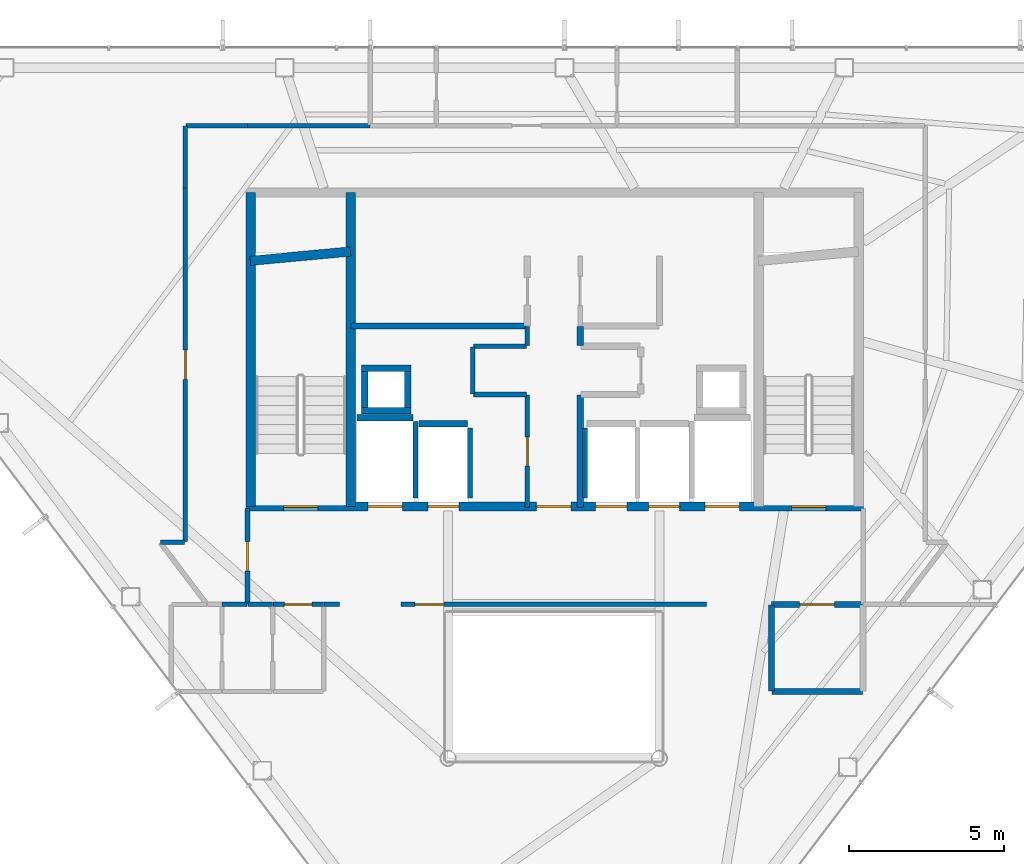
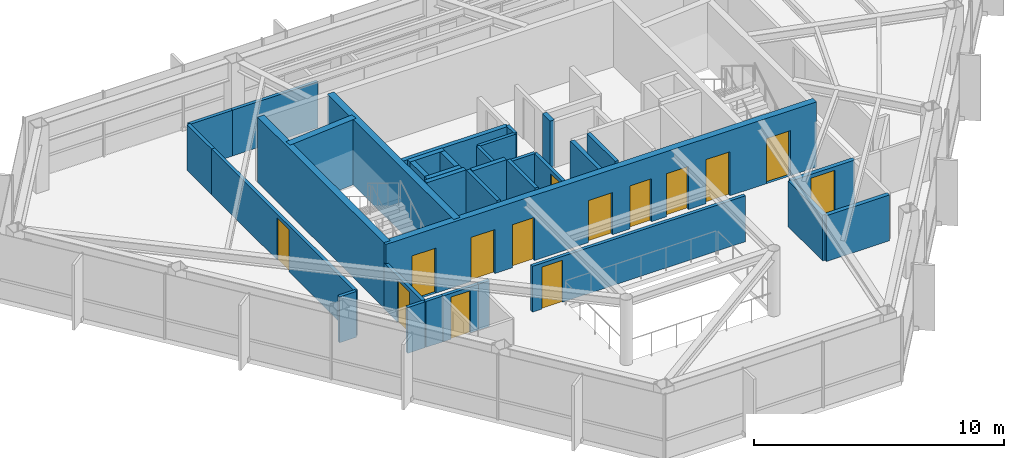
# One storey, part 22 of 25: 35 walls, 14 doors, 14 openings.
"""IFC4 building model written with IfcOpenShell, lengths in metres."""

from ifc_helpers import new_model, si_unit, direction, frame, frame_2d, origin, place, context, subcontext, project, spatial, rectangle, extrude, material, layer, layer_set, type_object, element, fill, save


model = new_model("IFC4")

# Units and contexts
model_context = context("Model", 3, precision=1e-05, world=origin(), true_north=direction((0.0, 1.0)))
body_context = subcontext(model_context, "Body", "Model", "MODEL_VIEW")
ifc_project = project(units=[si_unit("LENGTHUNIT", "METRE"), si_unit("AREAUNIT", "SQUARE_METRE"), si_unit("VOLUMEUNIT", "CUBIC_METRE"), si_unit("PLANEANGLEUNIT", "RADIAN"), si_unit("MASSUNIT", "GRAM", prefix="KILO")], contexts=[model_context])

# Site, building, storey
site_placement = place(None, origin())
site = spatial("IfcSite", under=ifc_project, at=site_placement, CompositionType="ELEMENT")
building_placement = place(site_placement, origin())
building = spatial("IfcBuilding", under=site, at=building_placement, Name="Zarrinselat Tower", CompositionType="ELEMENT")
storey_placement = place(building_placement, frame((0.0, 0.0, 242.760009765625)))
storey = spatial("IfcBuildingStorey", under=building, at=storey_placement, Name="L61", CompositionType="ELEMENT", Elevation=242.760009765625)

# Wall, opening, door
ifc_material_1 = material(Name="Concrete C40/50", Category="concrete")
ifc_layer_1 = layer(ifc_material_1, 0.18994140625)
ifc_layer_set_1 = layer_set([ifc_layer_1], Name="Concrete C40/50")
wall_type_1 = type_object("IfcWallType", Name="WAL-PART-EI120", PredefinedType="PARTITIONING", material=ifc_layer_set_1)
wall_1_placement = place(storey_placement, frame((45.405029296875, 30.14990234375, 0.0), z_axis=(0.0, 0.0, 1.0), x_axis=(1.0, 0.0, 0.0)))
wall_1 = element("IfcWall", 1, at=wall_1_placement, inside=storey, type_object=wall_type_1, Name="L61 Partition Wall 16", PredefinedType="PARTITIONING", context=body_context, shape_type="SweptSolid", body=[
    extrude(rectangle(XDim=2.925048828125, YDim=0.18994140625, at=frame_2d((1.46240234375, 0.0))), origin(), (0.0, 0.0, 1.0), 2.235107421875),
])
opening_1_placement = place(wall_1_placement, frame((0.902587890625, 0.0, 0.0)))
opening_1 = element("IfcOpeningElement", 2, at=opening_1_placement, cuts=wall_1, Name="Opening ID-02", PredefinedType="OPENING", context=body_context, shape_type="SweptSolid", body=[
    extrude(rectangle(XDim=1.1201171875, YDim=2.050048828125, at=frame_2d((0.56005859375, 1.02490234375))), frame((0.0, 0.10498046875, 0.0), z_axis=(0.0, -1.0, 0.0), x_axis=(1.0, 0.0, 0.0)), (0.0, 0.0, 1.0), 0.2099609375),
])
ifc_material_2 = material(Name="Steel S355J2", Category="steel")
door_type_1 = type_object("IfcDoorType", Name="DR-INT-FD60-W", OperationType="NOTDEFINED", PredefinedType="DOOR", material=ifc_material_2)
door_1_placement = place(opening_1_placement, origin())
door_1 = element("IfcDoor", 3, at=door_1_placement, inside=storey, type_object=door_type_1, Name="L61 Interior Door P16", OperationType="SINGLE_SWING_LEFT", OverallHeight=2.050048828125, OverallWidth=1.1201171875, PredefinedType="DOOR", context=body_context, shape_type="SweptSolid", body=[
    extrude(rectangle(XDim=1.1201171875, YDim=2.050048828125, at=frame_2d((0.56005859375, 1.02490234375))), frame((0.0, 0.02490234375, 0.0), z_axis=(0.0, -1.0, 0.0), x_axis=(1.0, 0.0, 0.0)), (0.0, 0.0, 1.0), 0.050048828125),
])
fill(opening_1, door_1)

# Walls
wall_2_placement = place(storey_placement, frame((45.419921875, 27.35009765625, 0.0), z_axis=(0.0, 0.0, 1.0), x_axis=(1.0, 0.0, 0.0)))
element("IfcWall", 4, at=wall_2_placement, inside=storey, type_object=wall_type_1, Name="L61 Partition Wall 23", PredefinedType="PARTITIONING", context=body_context, shape_type="SweptSolid", body=[
    extrude(rectangle(XDim=2.91015625, YDim=0.18994140625, at=frame_2d((1.455078125, 0.0))), origin(), (0.0, 0.0, 1.0), 2.235107421875),
])
wall_3_placement = place(storey_placement, frame((45.39990234375, 27.3701171875, 0.0), z_axis=(0.0, 0.0, 1.0), x_axis=(0.0, 1.0, 0.0)))
element("IfcWall", 5, at=wall_3_placement, inside=storey, type_object=wall_type_1, Name="L61 Partition Wall 24", PredefinedType="PARTITIONING", context=body_context, shape_type="SweptSolid", body=[
    extrude(rectangle(XDim=2.759765625, YDim=0.18994140625, at=frame_2d((1.3798828125, 0.0))), origin(), (0.0, 0.0, 1.0), 2.235107421875),
])

# Wall, opening, door
ifc_material_3 = material(Name="Fire-Rated Gypsum Board Partition", Category="gypsum")
ifc_layer_2 = layer(ifc_material_3, 0.14990234375)
ifc_layer_set_2 = layer_set([ifc_layer_2], Name="Fire-Rated Gypsum Board Partition")
wall_type_2 = type_object("IfcWallType", Name="WAL-PART-EI60", PredefinedType="PARTITIONING", material=ifc_layer_set_2)
wall_4_placement = place(storey_placement, frame((37.550048828125, 33.264892578125, 0.0), z_axis=(0.0, 0.0, 1.0), x_axis=(0.0, 1.0, 0.0)))
wall_4 = element("IfcWall", 6, at=wall_4_placement, inside=storey, type_object=wall_type_2, Name="L61 Partition Wall 1", PredefinedType="PARTITIONING", context=body_context, shape_type="SweptSolid", body=[
    extrude(rectangle(XDim=3.614990234375, YDim=0.14990234375, at=frame_2d((1.8076171875, 0.0))), origin(), (0.0, 0.0, 1.0), 2.235107421875),
])
opening_2_placement = place(wall_4_placement, frame((1.33740234375, 0.0, 0.0)))
opening_2 = element("IfcOpeningElement", 7, at=opening_2_placement, cuts=wall_4, Name="Opening ID-04", PredefinedType="OPENING", context=body_context, shape_type="SweptSolid", body=[
    extrude(rectangle(XDim=0.93994140625, YDim=2.050048828125, at=frame_2d((0.469970703125, 1.02490234375))), frame((0.0, 0.0849609375, 0.0), z_axis=(0.0, -1.0, 0.0), x_axis=(1.0, 0.0, 0.0)), (0.0, 0.0, 1.0), 0.169921875),
])
ifc_material_4 = material(Name="Fire-Rated Gypsum Board Partition")
door_type_2 = type_object("IfcDoorType", Name="DR-INT-FD30-ENT", OperationType="NOTDEFINED", PredefinedType="DOOR", material=ifc_material_4)
door_2_placement = place(opening_2_placement, origin())
door_2 = element("IfcDoor", 8, at=door_2_placement, inside=storey, type_object=door_type_2, Name="L61 Interior Door P1", OperationType="SINGLE_SWING_LEFT", OverallHeight=2.050048828125, OverallWidth=0.93994140625, PredefinedType="DOOR", context=body_context, shape_type="SweptSolid", body=[
    extrude(rectangle(XDim=0.93994140625, YDim=2.050048828125, at=frame_2d((0.469970703125, 1.02490234375))), frame((0.0, 0.02490234375, 0.0), z_axis=(0.0, -1.0, 0.0), x_axis=(1.0, 0.0, 0.0)), (0.0, 0.0, 1.0), 0.050048828125),
])
fill(opening_2, door_2)

# Walls
wall_5_placement = place(storey_placement, frame((35.820068359375, 36.89990234375, 0.0), z_axis=(0.0, 0.0, 1.0), x_axis=(1.0, 0.0, 0.0)))
element("IfcWall", 9, at=wall_5_placement, inside=storey, type_object=wall_type_2, Name="L61 Partition Wall 2", PredefinedType="PARTITIONING", context=body_context, shape_type="SweptSolid", body=[
    extrude(rectangle(XDim=1.7099609375, YDim=0.14990234375, at=frame_2d((0.85498046875, 0.0))), origin(), (0.0, 0.0, 1.0), 2.235107421875),
])
wall_6_placement = place(storey_placement, frame((35.800048828125, 36.919921875, 0.0), z_axis=(0.0, 0.0, 1.0), x_axis=(0.0, 1.0, 0.0)))
element("IfcWall", 10, at=wall_6_placement, inside=storey, type_object=wall_type_2, Name="L61 Partition Wall 3", PredefinedType="PARTITIONING", context=body_context, shape_type="SweptSolid", body=[
    extrude(rectangle(XDim=1.510009765625, YDim=0.14990234375, at=frame_2d((0.7548828125, 0.0))), origin(), (0.0, 0.0, 1.0), 2.235107421875),
])
wall_7_placement = place(storey_placement, frame((35.820068359375, 38.449951171875, 0.0), z_axis=(0.0, 0.0, 1.0), x_axis=(1.0, 0.0, 0.0)))
element("IfcWall", 11, at=wall_7_placement, inside=storey, type_object=wall_type_2, Name="L61 Partition Wall 4", PredefinedType="PARTITIONING", context=body_context, shape_type="SweptSolid", body=[
    extrude(rectangle(XDim=1.7099609375, YDim=0.14990234375, at=frame_2d((0.85498046875, 0.0))), origin(), (0.0, 0.0, 1.0), 2.235107421875),
])
wall_8_placement = place(storey_placement, frame((37.550048828125, 38.469970703125, 0.0), z_axis=(0.0, 0.0, 1.0), x_axis=(0.0, 1.0, 0.0)))
element("IfcWall", 12, at=wall_8_placement, inside=storey, type_object=wall_type_2, Name="L61 Partition Wall 5", PredefinedType="PARTITIONING", context=body_context, shape_type="SweptSolid", body=[
    extrude(rectangle(XDim=0.625, YDim=0.14990234375, at=frame_2d((0.3125, 0.0))), origin(), (0.0, 0.0, 1.0), 2.235107421875),
])

# Wall, opening, door
wall_9_placement = place(storey_placement, frame((28.550048828125, 30.169921875, 0.0), z_axis=(0.0, 0.0, 1.0), x_axis=(0.0, 1.0, 0.0)))
wall_9 = element("IfcWall", 13, at=wall_9_placement, inside=storey, type_object=wall_type_2, Name="L61 Partition Wall 17", PredefinedType="PARTITIONING", context=body_context, shape_type="SweptSolid", body=[
    extrude(rectangle(XDim=3.06005859375, YDim=0.14990234375, at=frame_2d((1.530029296875, 0.0))), origin(), (0.0, 0.0, 1.0), 2.235107421875),
])
opening_3_placement = place(wall_9_placement, frame((1.06005859375, 0.0, 0.0)))
opening_3 = element("IfcOpeningElement", 14, at=opening_3_placement, cuts=wall_9, Name="Opening ID-04", PredefinedType="OPENING", context=body_context, shape_type="SweptSolid", body=[
    extrude(rectangle(XDim=0.93994140625, YDim=2.050048828125, at=frame_2d((0.469970703125, 1.02490234375))), frame((0.0, 0.0849609375, 0.0), z_axis=(0.0, -1.0, 0.0), x_axis=(1.0, 0.0, 0.0)), (0.0, 0.0, 1.0), 0.169921875),
])
door_3_placement = place(opening_3_placement, origin())
door_3 = element("IfcDoor", 15, at=door_3_placement, inside=storey, type_object=door_type_2, Name="L61 Interior Door P17", OperationType="SINGLE_SWING_RIGHT", OverallHeight=2.050048828125, OverallWidth=0.93994140625, PredefinedType="DOOR", context=body_context, shape_type="SweptSolid", body=[
    extrude(rectangle(XDim=0.93994140625, YDim=2.050048828125, at=frame_2d((0.469970703125, 1.02490234375))), frame((0.0, 0.02490234375, 0.0), z_axis=(0.0, -1.0, 0.0), x_axis=(1.0, 0.0, 0.0)), (0.0, 0.0, 1.0), 0.050048828125),
])
fill(opening_3, door_3)

wall_10_placement = place(storey_placement, frame((29.364990234375, 30.14990234375, 0.0), z_axis=(0.0, 0.0, 1.0), x_axis=(1.0, 0.0, 0.0)))
wall_10 = element("IfcWall", 16, at=wall_10_placement, inside=storey, type_object=wall_type_2, Name="L61 Partition Wall 19", PredefinedType="PARTITIONING", context=body_context, shape_type="SweptSolid", body=[
    extrude(rectangle(XDim=1.630126953125, YDim=0.14990234375, at=frame_2d((0.81494140625, 0.0))), origin(), (0.0, 0.0, 1.0), 2.235107421875),
])
opening_4_placement = place(wall_10_placement, frame((0.375, 0.0, 0.0)))
opening_4 = element("IfcOpeningElement", 17, at=opening_4_placement, cuts=wall_10, Name="Opening ID-03", PredefinedType="OPENING", context=body_context, shape_type="SweptSolid", body=[
    extrude(rectangle(XDim=0.8798828125, YDim=2.050048828125, at=frame_2d((0.43994140625, 1.02490234375))), frame((0.0, 0.0849609375, 0.0), z_axis=(0.0, -1.0, 0.0), x_axis=(1.0, 0.0, 0.0)), (0.0, 0.0, 1.0), 0.169921875),
])
ifc_material_5 = material(Name="Steel S355J2", Category="steel")
door_type_3 = type_object("IfcDoorType", Name="DR-INT-FD60-S", OperationType="NOTDEFINED", PredefinedType="DOOR", material=ifc_material_5)
door_4_placement = place(opening_4_placement, origin())
door_4 = element("IfcDoor", 18, at=door_4_placement, inside=storey, type_object=door_type_3, Name="L61 Interior Door P19", OperationType="SINGLE_SWING_LEFT", OverallHeight=2.050048828125, OverallWidth=0.8798828125, PredefinedType="DOOR", context=body_context, shape_type="SweptSolid", body=[
    extrude(rectangle(XDim=0.8798828125, YDim=2.050048828125, at=frame_2d((0.43994140625, 1.02490234375))), frame((0.0, 0.02490234375, 0.0), z_axis=(0.0, -1.0, 0.0), x_axis=(1.0, 0.0, 0.0)), (0.0, 0.0, 1.0), 0.050048828125),
])
fill(opening_4, door_4)

# Wall
wall_11_placement = place(storey_placement, frame((28.570068359375, 30.14990234375, 0.0), z_axis=(0.0, 0.0, 1.0), x_axis=(1.0, 0.0, 0.0)))
element("IfcWall", 19, at=wall_11_placement, inside=storey, type_object=wall_type_2, Name="L61 Partition Wall 20", PredefinedType="PARTITIONING", context=body_context, shape_type="SweptSolid", body=[
    extrude(rectangle(XDim=0.784912109375, YDim=0.14990234375, at=frame_2d((0.392578125, 0.0))), origin(), (0.0, 0.0, 1.0), 2.235107421875),
])

# Wall, opening, door
wall_12_placement = place(storey_placement, frame((33.485107421875, 30.14990234375, 0.0), z_axis=(0.0, 0.0, 1.0), x_axis=(1.0, 0.0, 0.0)))
wall_12 = element("IfcWall", 20, at=wall_12_placement, inside=storey, type_object=wall_type_2, Name="L61 Partition Wall 21", PredefinedType="PARTITIONING", context=body_context, shape_type="SweptSolid", body=[
    extrude(rectangle(XDim=9.829833984375, YDim=0.14990234375, at=frame_2d((4.9150390625, 0.0))), origin(), (0.0, 0.0, 1.0), 2.235107421875),
])
opening_5_placement = place(wall_12_placement, frame((0.445068359375, 0.0, 0.0)))
opening_5 = element("IfcOpeningElement", 21, at=opening_5_placement, cuts=wall_12, Name="Opening ID-04", PredefinedType="OPENING", context=body_context, shape_type="SweptSolid", body=[
    extrude(rectangle(XDim=0.93994140625, YDim=2.050048828125, at=frame_2d((0.469970703125, 1.02490234375))), frame((0.0, 0.0849609375, 0.0), z_axis=(0.0, -1.0, 0.0), x_axis=(1.0, 0.0, 0.0)), (0.0, 0.0, 1.0), 0.169921875),
])
door_5_placement = place(opening_5_placement, origin())
door_5 = element("IfcDoor", 22, at=door_5_placement, inside=storey, type_object=door_type_2, Name="L61 Interior Door P21", OperationType="SINGLE_SWING_RIGHT", OverallHeight=2.050048828125, OverallWidth=0.93994140625, PredefinedType="DOOR", context=body_context, shape_type="SweptSolid", body=[
    extrude(rectangle(XDim=0.93994140625, YDim=2.050048828125, at=frame_2d((0.469970703125, 1.02490234375))), frame((0.0, 0.02490234375, 0.0), z_axis=(0.0, -1.0, 0.0), x_axis=(1.0, 0.0, 0.0)), (0.0, 0.0, 1.0), 0.050048828125),
])
fill(opening_5, door_5)

# Walls
wall_13_placement = place(storey_placement, frame((31.0048828125, 30.14990234375, 0.0), z_axis=(0.0, 0.0, 1.0), x_axis=(1.0, 0.0, 0.0)))
element("IfcWall", 23, at=wall_13_placement, inside=storey, type_object=wall_type_2, Name="L61 Partition Wall 22", PredefinedType="PARTITIONING", context=body_context, shape_type="SweptSolid", body=[
    extrude(rectangle(XDim=0.510009765625, YDim=0.14990234375, at=frame_2d((0.2548828125, 0.0))), origin(), (0.0, 0.0, 1.0), 2.235107421875),
])
wall_14_placement = place(storey_placement, frame((27.735107421875, 30.14990234375, 0.0), z_axis=(0.0, 0.0, 1.0), x_axis=(1.0, 0.0, 0.0)))
element("IfcWall", 24, at=wall_14_placement, inside=storey, type_object=wall_type_2, Name="L61 Partition Wall 27", PredefinedType="PARTITIONING", context=body_context, shape_type="SweptSolid", body=[
    extrude(rectangle(XDim=0.794921875, YDim=0.14990234375, at=frame_2d((0.3974609375, 0.0))), origin(), (0.0, 0.0, 1.0), 2.235107421875),
])
wall_15_placement = place(storey_placement, frame((25.754638671875, 32.14990234375, 0.0), z_axis=(0.0, 0.0, 1.0), x_axis=(1.0, 0.0, 0.0)))
element("IfcWall", 25, at=wall_15_placement, inside=storey, type_object=wall_type_2, Name="L61 Partition Wall 30", PredefinedType="PARTITIONING", context=body_context, shape_type="SweptSolid", body=[
    extrude(rectangle(XDim=0.775390625, YDim=0.14990234375, at=frame_2d((0.3876953125, 0.0))), origin(), (0.0, 0.0, 1.0), 2.235107421875),
])

# Wall, opening, door
wall_16_placement = place(storey_placement, frame((26.550048828125, 32.169921875, 0.0), z_axis=(0.0, 0.0, 1.0), x_axis=(0.0, 1.0, 0.0)))
wall_16 = element("IfcWall", 26, at=wall_16_placement, inside=storey, type_object=wall_type_2, Name="L61 Partition Wall 31", PredefinedType="PARTITIONING", context=body_context, shape_type="SweptSolid", body=[
    extrude(rectangle(XDim=11.380126953125, YDim=0.14990234375, at=frame_2d((5.68994140625, 0.0))), origin(), (0.0, 0.0, 1.0), 2.235107421875),
])
opening_6_placement = place(wall_16_placement, frame((5.219970703125, 0.0, 0.0)))
opening_6 = element("IfcOpeningElement", 27, at=opening_6_placement, cuts=wall_16, Name="Opening ID-04", PredefinedType="OPENING", context=body_context, shape_type="SweptSolid", body=[
    extrude(rectangle(XDim=0.93994140625, YDim=2.050048828125, at=frame_2d((0.469970703125, 1.02490234375))), frame((0.0, 0.0849609375, 0.0), z_axis=(0.0, -1.0, 0.0), x_axis=(1.0, 0.0, 0.0)), (0.0, 0.0, 1.0), 0.169921875),
])
door_6_placement = place(opening_6_placement, origin())
door_6 = element("IfcDoor", 28, at=door_6_placement, inside=storey, type_object=door_type_2, Name="L61 Interior Door P31", OperationType="SINGLE_SWING_LEFT", OverallHeight=2.050048828125, OverallWidth=0.93994140625, PredefinedType="DOOR", context=body_context, shape_type="SweptSolid", body=[
    extrude(rectangle(XDim=0.93994140625, YDim=2.050048828125, at=frame_2d((0.469970703125, 1.02490234375))), frame((0.0, 0.02490234375, 0.0), z_axis=(0.0, -1.0, 0.0), x_axis=(1.0, 0.0, 0.0)), (0.0, 0.0, 1.0), 0.050048828125),
])
fill(opening_6, door_6)

# Walls
for number, where, z_axis, x_axis, name in (
    (29, (26.550048828125, 43.550048828125, 0.0), (0.0, 0.0, 1.0), (0.0, 1.0, 0.0), "L61 Partition Wall 32"),
    (30, (26.570068359375, 45.550048828125, 0.0), (0.0, 0.0, 1.0), (1.0, 0.0, 0.0), "L61 Partition Wall 33"),
):
    element("IfcWall", number, at=place(storey_placement, frame(where, z_axis=z_axis, x_axis=x_axis)), inside=storey, type_object=wall_type_2, Name=name, PredefinedType="PARTITIONING", context=body_context, shape_type="SweptSolid", body=[
        extrude(rectangle(XDim=1.97998046875, YDim=0.14990234375, at=frame_2d((0.989990234375, 0.0))), origin(), (0.0, 0.0, 1.0), 2.235107421875),
    ])
wall_17_placement = place(storey_placement, frame((28.550048828125, 45.550048828125, 0.0), z_axis=(0.0, 0.0, 1.0), x_axis=(1.0, 0.0, 0.0)))
element("IfcWall", 31, at=wall_17_placement, inside=storey, type_object=wall_type_2, Name="L61 Partition Wall 34", PredefinedType="PARTITIONING", context=body_context, shape_type="SweptSolid", body=[
    extrude(rectangle(XDim=3.945068359375, YDim=0.14990234375, at=frame_2d((1.97265625, 0.0))), origin(), (0.0, 0.0, 1.0), 2.235107421875),
])
ifc_material_6 = material(Name="Concrete C40/50", Category="concrete")
ifc_layer_3 = layer(ifc_material_6, 0.199951171875)
ifc_layer_set_3 = layer_set([ifc_layer_3], Name="Concrete C40/50")
wall_type_3 = type_object("IfcWallType", Name="WAL-PART-PLANT", PredefinedType="PARTITIONING", material=ifc_layer_set_3)
wall_18_placement = place(storey_placement, frame((39.25, 38.469970703125, 0.0), z_axis=(0.0, 0.0, 1.0), x_axis=(0.0, 1.0, 0.0)))
element("IfcWall", 32, at=wall_18_placement, inside=storey, type_object=wall_type_3, Name="L61 Partition Wall 7", PredefinedType="PARTITIONING", context=body_context, shape_type="SweptSolid", body=[
    extrude(rectangle(XDim=0.625, YDim=0.199951171875, at=frame_2d((0.3125, 0.0))), origin(), (0.0, 0.0, 1.0), 2.235107421875),
])
wall_19_placement = place(storey_placement, frame((39.25, 33.264892578125, 0.0), z_axis=(0.0, 0.0, 1.0), x_axis=(0.0, 1.0, 0.0)))
element("IfcWall", 33, at=wall_19_placement, inside=storey, type_object=wall_type_3, Name="L61 Partition Wall 11", PredefinedType="PARTITIONING", context=body_context, shape_type="SweptSolid", body=[
    extrude(rectangle(XDim=3.614990234375, YDim=0.199951171875, at=frame_2d((1.8076171875, 0.0))), origin(), (0.0, 0.0, 1.0), 2.235107421875),
])
wall_20_placement = place(storey_placement, frame((31.885009765625, 39.10009765625, 0.0), z_axis=(0.0, 0.0, 1.0), x_axis=(1.0, 0.0, 0.0)))
element("IfcWall", 34, at=wall_20_placement, inside=storey, type_object=wall_type_3, Name="L61 Partition Wall 13", PredefinedType="PARTITIONING", context=body_context, shape_type="SweptSolid", body=[
    extrude(rectangle(XDim=5.64501953125, YDim=0.199951171875, at=frame_2d((2.822509765625, 0.0))), origin(), (0.0, 0.0, 1.0), 2.235107421875),
])
ifc_material_7 = material(Name="Concrete C40/50", Category="concrete")
ifc_layer_4 = layer(ifc_material_7, 0.2099609375)
ifc_layer_set_4 = layer_set([ifc_layer_4], Name="Concrete C40/50")
wall_type_4 = type_object("IfcWallType", Name="WAL-SHAFT-210", PredefinedType="SOLIDWALL", material=ifc_layer_set_4)
wall_21_placement = place(storey_placement, frame((32.080078125, 36.155029296875, 0.0), z_axis=(0.0, 0.0, 1.0), x_axis=(1.0, 0.0, 0.0)))
element("IfcWall", 35, at=wall_21_placement, inside=storey, type_object=wall_type_4, Name="L61 Lift FFL1 North Shaft Wall", PredefinedType="SOLIDWALL", context=body_context, shape_type="SweptSolid", body=[
    extrude(rectangle(XDim=1.7998046875, YDim=0.2099609375, at=frame_2d((0.89990234375, 0.0))), origin(), (0.0, 0.0, 1.0), 3.179931640625),
])
wall_22_placement = place(storey_placement, frame((33.949951171875, 33.580078125, 0.0), z_axis=(0.0, 0.0, 1.0), x_axis=(0.0, 1.0, 0.0)))
element("IfcWall", 36, at=wall_22_placement, inside=storey, type_object=wall_type_4, Name="L61 Lift FFL1 E Shaft Wall", PredefinedType="SOLIDWALL", context=body_context, shape_type="SweptSolid", body=[
    extrude(rectangle(XDim=2.449951171875, YDim=0.159912109375, at=frame_2d((1.22509765625, 0.0))), origin(), (0.0, 0.0, 1.0), 3.179931640625),
])
wall_23_placement = place(storey_placement, frame((39.39990234375, 33.580078125, 0.0), z_axis=(0.0, 0.0, 1.0), x_axis=(0.0, 1.0, 0.0)))
element("IfcWall", 37, at=wall_23_placement, inside=storey, type_object=wall_type_4, Name="L61 Lift PL8 W Shaft Wall", PredefinedType="SOLIDWALL", context=body_context, shape_type="SweptSolid", body=[
    extrude(rectangle(XDim=2.25, YDim=0.159912109375, at=frame_2d((1.125, 0.0))), origin(), (0.0, 0.0, 1.0), 3.179931640625),
])
wall_24_placement = place(storey_placement, frame((34.070068359375, 35.955078125, 0.0), z_axis=(0.0, 0.0, 1.0), x_axis=(1.0, 0.0, 0.0)))
element("IfcWall", 38, at=wall_24_placement, inside=storey, type_object=wall_type_4, Name="L61 Lift PL10 North Shaft Wall", PredefinedType="SOLIDWALL", context=body_context, shape_type="SweptSolid", body=[
    extrude(rectangle(XDim=1.559814453125, YDim=0.2099609375, at=frame_2d((0.77978515625, 0.0))), origin(), (0.0, 0.0, 1.0), 3.179931640625),
])
wall_25_placement = place(storey_placement, frame((35.699951171875, 33.580078125, 0.0), z_axis=(0.0, 0.0, 1.0), x_axis=(0.0, 1.0, 0.0)))
element("IfcWall", 39, at=wall_25_placement, inside=storey, type_object=wall_type_4, Name="L61 Lift PL10 E Shaft Wall", PredefinedType="SOLIDWALL", context=body_context, shape_type="SweptSolid", body=[
    extrude(rectangle(XDim=2.25, YDim=0.159912109375, at=frame_2d((1.125, 0.0))), origin(), (0.0, 0.0, 1.0), 3.179931640625),
])
for number, where, z_axis, x_axis, name in (
    (40, (32.2099609375, 36.375, 0.0), (0.0, 0.0, 1.0), (1.0, 0.0, 0.0), "L61 Core Riser RSR-W S Shaft Wall"),
    (41, (32.2099609375, 37.7451171875, 0.0), (0.0, 0.0, 1.0), (1.0, 0.0, 0.0), "L61 Core Riser RSR-W N Shaft Wall"),
):
    element("IfcWall", number, at=place(storey_placement, frame(where, z_axis=z_axis, x_axis=x_axis)), inside=storey, type_object=wall_type_4, Name=name, PredefinedType="SOLIDWALL", context=body_context, shape_type="SweptSolid", body=[
        extrude(rectangle(XDim=1.60009765625, YDim=0.2099609375, at=frame_2d((0.800048828125, 0.0))), origin(), (0.0, 0.0, 1.0), 3.179931640625),
    ])
for number, where, z_axis, x_axis, name in (
    (42, (32.31494140625, 36.485107421875, 0.0), (0.0, 0.0, 1.0), (0.0, 1.0, 0.0), "L61 Core Riser RSR-W W Shaft Wall"),
    (43, (33.705078125, 36.485107421875, 0.0), (0.0, 0.0, 1.0), (0.0, 1.0, 0.0), "L61 Core Riser RSR-W E Shaft Wall"),
):
    element("IfcWall", number, at=place(storey_placement, frame(where, z_axis=z_axis, x_axis=x_axis)), inside=storey, type_object=wall_type_4, Name=name, PredefinedType="SOLIDWALL", context=body_context, shape_type="SweptSolid", body=[
        extrude(rectangle(XDim=1.14990234375, YDim=0.2099609375, at=frame_2d((0.574951171875, 0.0))), origin(), (0.0, 0.0, 1.0), 3.179931640625),
    ])

# Wall, openings, doors
ifc_material_8 = material(Name="Concrete C40/50", Category="concrete")
ifc_layer_5 = layer(ifc_material_8, 0.300048828125)
ifc_layer_set_5 = layer_set([ifc_layer_5], Name="Concrete C40/50")
wall_type_5 = type_object("IfcWallType", Name="WAL-SHEAR-300", PredefinedType="SHEAR", material=ifc_layer_set_5)
wall_26_placement = place(storey_placement, frame((28.5, 33.300048828125, 0.0), z_axis=(0.0, 0.0, 1.0), x_axis=(1.0, 0.0, 0.0)))
wall_26 = element("IfcWall", 44, at=wall_26_placement, inside=storey, type_object=wall_type_5, Name="L61 South Core Shear Wall", PredefinedType="SHEAR", context=body_context, shape_type="SweptSolid", body=[
    extrude(rectangle(XDim=19.860107421875, YDim=0.300048828125, at=frame_2d((9.93017578125, 0.0))), origin(), (0.0, 0.0, 1.0), 3.179931640625),
])
opening_7_placement = place(wall_26_placement, frame((3.929931640625, 0.0, 0.0)))
opening_7 = element("IfcOpeningElement", 45, at=opening_7_placement, cuts=wall_26, Name="Opening LD-FFL1", PredefinedType="OPENING", context=body_context, shape_type="SweptSolid", body=[
    extrude(rectangle(XDim=1.10009765625, YDim=2.14990234375, at=frame_2d((0.550048828125, 1.074951171875))), frame((0.0, 0.159912109375, 0.0), z_axis=(0.0, -1.0, 0.0), x_axis=(1.0, 0.0, 0.0)), (0.0, 0.0, 1.0), 0.320068359375),
])
opening_8_placement = place(wall_26_placement, frame((14.77001953125, 0.0, 0.0)))
opening_8 = element("IfcOpeningElement", 46, at=opening_8_placement, cuts=wall_26, Name="Opening LD-FFL2", PredefinedType="OPENING", context=body_context, shape_type="SweptSolid", body=[
    extrude(rectangle(XDim=1.10009765625, YDim=2.14990234375, at=frame_2d((0.550048828125, 1.074951171875))), frame((0.0, 0.159912109375, 0.0), z_axis=(0.0, -1.0, 0.0), x_axis=(1.0, 0.0, 0.0)), (0.0, 0.0, 1.0), 0.320068359375),
])
opening_9_placement = place(wall_26_placement, frame((11.25, 0.0, 0.0)))
opening_9 = element("IfcOpeningElement", 47, at=opening_9_placement, cuts=wall_26, Name="Opening LD-PL8", PredefinedType="OPENING", context=body_context, shape_type="SweptSolid", body=[
    extrude(rectangle(XDim=1.0, YDim=2.10009765625, at=frame_2d((0.5, 1.050048828125))), frame((0.0, 0.159912109375, 0.0), z_axis=(0.0, -1.0, 0.0), x_axis=(1.0, 0.0, 0.0)), (0.0, 0.0, 1.0), 0.320068359375),
])
opening_10_placement = place(wall_26_placement, frame((12.949951171875, 0.0, 0.0)))
opening_10 = element("IfcOpeningElement", 48, at=opening_10_placement, cuts=wall_26, Name="Opening LD-PL9", PredefinedType="OPENING", context=body_context, shape_type="SweptSolid", body=[
    extrude(rectangle(XDim=1.0, YDim=2.10009765625, at=frame_2d((0.5, 1.050048828125))), frame((0.0, 0.159912109375, 0.0), z_axis=(0.0, -1.0, 0.0), x_axis=(1.0, 0.0, 0.0)), (0.0, 0.0, 1.0), 0.320068359375),
])
opening_11_placement = place(wall_26_placement, frame((5.85009765625, 0.0, 0.0)))
opening_11 = element("IfcOpeningElement", 49, at=opening_11_placement, cuts=wall_26, Name="Opening LD-PL10", PredefinedType="OPENING", context=body_context, shape_type="SweptSolid", body=[
    extrude(rectangle(XDim=1.0, YDim=2.10009765625, at=frame_2d((0.5, 1.050048828125))), frame((0.0, 0.159912109375, 0.0), z_axis=(0.0, -1.0, 0.0), x_axis=(1.0, 0.0, 0.0)), (0.0, 0.0, 1.0), 0.320068359375),
])
opening_12_placement = place(wall_26_placement, frame((1.2099609375, 0.0, 0.0)))
opening_12 = element("IfcOpeningElement", 50, at=opening_12_placement, cuts=wall_26, Name="Opening SD-01", PredefinedType="OPENING", context=body_context, shape_type="SweptSolid", body=[
    extrude(rectangle(XDim=1.10009765625, YDim=2.199951171875, at=frame_2d((0.550048828125, 1.10009765625))), frame((0.0, 0.159912109375, 0.0), z_axis=(0.0, -1.0, 0.0), x_axis=(1.0, 0.0, 0.0)), (0.0, 0.0, 1.0), 0.320068359375),
])
opening_13_placement = place(wall_26_placement, frame((9.340087890625, 0.0, 0.0)))
opening_13 = element("IfcOpeningElement", 51, at=opening_13_placement, cuts=wall_26, Name="Opening ID-02", PredefinedType="OPENING", context=body_context, shape_type="SweptSolid", body=[
    extrude(rectangle(XDim=1.1201171875, YDim=2.050048828125, at=frame_2d((0.56005859375, 1.02490234375))), frame((0.0, 0.159912109375, 0.0), z_axis=(0.0, -1.0, 0.0), x_axis=(1.0, 0.0, 0.0)), (0.0, 0.0, 1.0), 0.320068359375),
])
opening_14_placement = place(wall_26_placement, frame((17.550048828125, 0.0, 0.0)))
opening_14 = element("IfcOpeningElement", 52, at=opening_14_placement, cuts=wall_26, Name="Opening SD-01", PredefinedType="OPENING", context=body_context, shape_type="SweptSolid", body=[
    extrude(rectangle(XDim=1.10009765625, YDim=2.199951171875, at=frame_2d((0.550048828125, 1.10009765625))), frame((0.0, 0.159912109375, 0.0), z_axis=(0.0, -1.0, 0.0), x_axis=(1.0, 0.0, 0.0)), (0.0, 0.0, 1.0), 0.320068359375),
])
door_7_placement = place(opening_13_placement, origin())
door_7 = element("IfcDoor", 53, at=door_7_placement, inside=storey, type_object=door_type_1, Name="L61 Core Service Vestibule Fire Door", OperationType="SINGLE_SWING_LEFT", OverallHeight=2.050048828125, OverallWidth=1.1201171875, PredefinedType="DOOR", context=body_context, shape_type="SweptSolid", body=[
    extrude(rectangle(XDim=1.1201171875, YDim=2.050048828125, at=frame_2d((0.56005859375, 1.02490234375))), frame((0.0, 0.02490234375, 0.0), z_axis=(0.0, -1.0, 0.0), x_axis=(1.0, 0.0, 0.0)), (0.0, 0.0, 1.0), 0.050048828125),
])
fill(opening_13, door_7)
ifc_material_9 = material(Name="Steel S355J2", Category="steel")
door_type_4 = type_object("IfcDoorType", Name="DR-LIFT-FF-1100", OperationType="NOTDEFINED", PredefinedType="DOOR", material=ifc_material_9)
door_8_placement = place(opening_7_placement, origin())
door_8 = element("IfcDoor", 54, at=door_8_placement, inside=storey, type_object=door_type_4, Name="L61 Lift FFL1 Sliding Landing Door", OperationType="SLIDING_TO_LEFT", OverallHeight=2.14990234375, OverallWidth=1.10009765625, PredefinedType="DOOR", context=body_context, shape_type="SweptSolid", body=[
    extrude(rectangle(XDim=1.10009765625, YDim=2.14990234375, at=frame_2d((0.550048828125, 1.074951171875))), frame((0.0, 0.02490234375, 0.0), z_axis=(0.0, -1.0, 0.0), x_axis=(1.0, 0.0, 0.0)), (0.0, 0.0, 1.0), 0.050048828125),
])
fill(opening_7, door_8)
door_9_placement = place(opening_8_placement, origin())
door_9 = element("IfcDoor", 55, at=door_9_placement, inside=storey, type_object=door_type_4, Name="L61 Lift FFL2 Sliding Landing Door", OperationType="SLIDING_TO_RIGHT", OverallHeight=2.14990234375, OverallWidth=1.10009765625, PredefinedType="DOOR", context=body_context, shape_type="SweptSolid", body=[
    extrude(rectangle(XDim=1.10009765625, YDim=2.14990234375, at=frame_2d((0.550048828125, 1.074951171875))), frame((0.0, 0.02490234375, 0.0), z_axis=(0.0, -1.0, 0.0), x_axis=(1.0, 0.0, 0.0)), (0.0, 0.0, 1.0), 0.050048828125),
])
fill(opening_8, door_9)
ifc_material_10 = material(Name="Steel S355J2", Category="steel")
door_type_5 = type_object("IfcDoorType", Name="DR-LIFT-PS-1000", OperationType="NOTDEFINED", PredefinedType="DOOR", material=ifc_material_10)
door_10_placement = place(opening_9_placement, origin())
door_10 = element("IfcDoor", 56, at=door_10_placement, inside=storey, type_object=door_type_5, Name="L61 Lift PL8 Sliding Landing Door", OperationType="SLIDING_TO_RIGHT", OverallHeight=2.10009765625, OverallWidth=1.0, PredefinedType="DOOR", context=body_context, shape_type="SweptSolid", body=[
    extrude(rectangle(XDim=1.0, YDim=2.10009765625, at=frame_2d((0.5, 1.050048828125))), frame((0.0, 0.02490234375, 0.0), z_axis=(0.0, -1.0, 0.0), x_axis=(1.0, 0.0, 0.0)), (0.0, 0.0, 1.0), 0.050048828125),
])
fill(opening_9, door_10)
door_11_placement = place(opening_10_placement, origin())
door_11 = element("IfcDoor", 57, at=door_11_placement, inside=storey, type_object=door_type_5, Name="L61 Lift PL9 Sliding Landing Door", OperationType="SLIDING_TO_LEFT", OverallHeight=2.10009765625, OverallWidth=1.0, PredefinedType="DOOR", context=body_context, shape_type="SweptSolid", body=[
    extrude(rectangle(XDim=1.0, YDim=2.10009765625, at=frame_2d((0.5, 1.050048828125))), frame((0.0, 0.02490234375, 0.0), z_axis=(0.0, -1.0, 0.0), x_axis=(1.0, 0.0, 0.0)), (0.0, 0.0, 1.0), 0.050048828125),
])
fill(opening_10, door_11)
door_12_placement = place(opening_11_placement, origin())
door_12 = element("IfcDoor", 58, at=door_12_placement, inside=storey, type_object=door_type_5, Name="L61 Lift PL10 Sliding Landing Door", OperationType="SLIDING_TO_RIGHT", OverallHeight=2.10009765625, OverallWidth=1.0, PredefinedType="DOOR", context=body_context, shape_type="SweptSolid", body=[
    extrude(rectangle(XDim=1.0, YDim=2.10009765625, at=frame_2d((0.5, 1.050048828125))), frame((0.0, 0.02490234375, 0.0), z_axis=(0.0, -1.0, 0.0), x_axis=(1.0, 0.0, 0.0)), (0.0, 0.0, 1.0), 0.050048828125),
])
fill(opening_11, door_12)
ifc_material_11 = material(Name="Steel S355J2", Category="steel")
door_type_6 = type_object("IfcDoorType", Name="DR-STAIR-1100", OperationType="NOTDEFINED", PredefinedType="DOOR", material=ifc_material_11)
door_13_placement = place(opening_12_placement, origin())
door_13 = element("IfcDoor", 59, at=door_13_placement, inside=storey, type_object=door_type_6, Name="L61 Exit Stair 1 Fire Door", OperationType="SINGLE_SWING_LEFT", OverallHeight=2.199951171875, OverallWidth=1.10009765625, PredefinedType="DOOR", context=body_context, shape_type="SweptSolid", body=[
    extrude(rectangle(XDim=1.10009765625, YDim=2.199951171875, at=frame_2d((0.550048828125, 1.10009765625))), frame((0.0, 0.02490234375, 0.0), z_axis=(0.0, -1.0, 0.0), x_axis=(1.0, 0.0, 0.0)), (0.0, 0.0, 1.0), 0.050048828125),
])
fill(opening_12, door_13)
door_14_placement = place(opening_14_placement, origin())
door_14 = element("IfcDoor", 60, at=door_14_placement, inside=storey, type_object=door_type_6, Name="L61 Exit Stair 2 Fire Door", OperationType="SINGLE_SWING_RIGHT", OverallHeight=2.199951171875, OverallWidth=1.10009765625, PredefinedType="DOOR", context=body_context, shape_type="SweptSolid", body=[
    extrude(rectangle(XDim=1.10009765625, YDim=2.199951171875, at=frame_2d((0.550048828125, 1.10009765625))), frame((0.0, 0.02490234375, 0.0), z_axis=(0.0, -1.0, 0.0), x_axis=(1.0, 0.0, 0.0)), (0.0, 0.0, 1.0), 0.050048828125),
])
fill(opening_14, door_14)

# Walls
for number, where, z_axis, x_axis, name in (
    (61, (28.64990234375, 33.300048828125, 0.0), (0.0, 0.0, 1.0), (0.0, 1.0, 0.0), "L61 Core Shear Wall W"),
    (62, (31.8701171875, 33.300048828125, 0.0), (0.0, 0.0, 1.0), (0.0, 1.0, 0.0), "L61 Core Shear Wall ST1E"),
):
    element("IfcWall", number, at=place(storey_placement, frame(where, z_axis=z_axis, x_axis=x_axis)), inside=storey, type_object=wall_type_5, Name=name, PredefinedType="SHEAR", context=body_context, shape_type="SweptSolid", body=[
        extrude(rectangle(XDim=10.099853515625, YDim=0.300048828125, at=frame_2d((5.0498046875, 0.0))), origin(), (0.0, 0.0, 1.0), 3.179931640625),
    ])
wall_27_placement = place(storey_placement, frame((28.639892578125, 41.199951171875, 0.0), z_axis=(0.0, 0.0, 1.0), x_axis=(0.995687118776, 0.092774789157, 0.0)))
element("IfcWall", 63, at=wall_27_placement, inside=storey, type_object=wall_type_5, Name="L61 Stair 1 North Shaft Wall", PredefinedType="SHEAR", context=body_context, shape_type="SweptSolid", body=[
    extrude(rectangle(XDim=3.234130859375, YDim=0.300048828125, at=frame_2d((1.6171875, 0.0))), origin(), (0.0, 0.0, 1.0), 3.179931640625),
])

save(model, "model.ifc")
